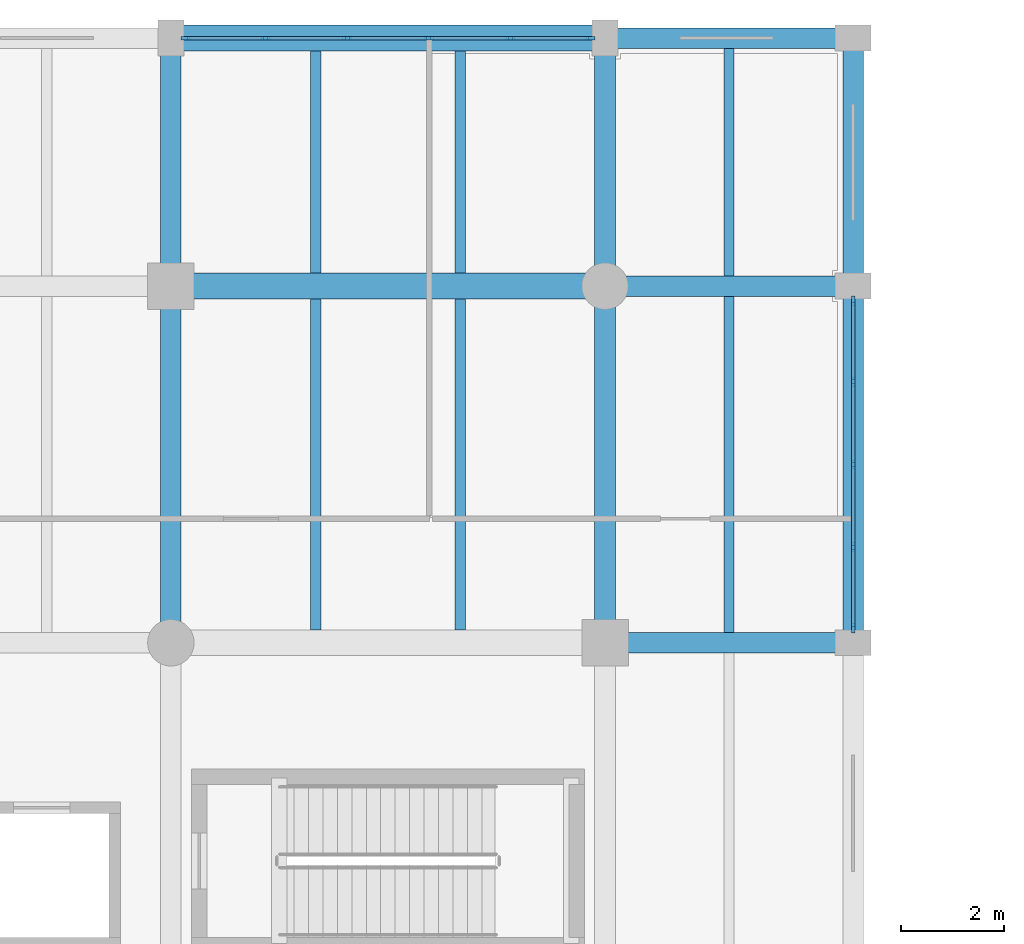
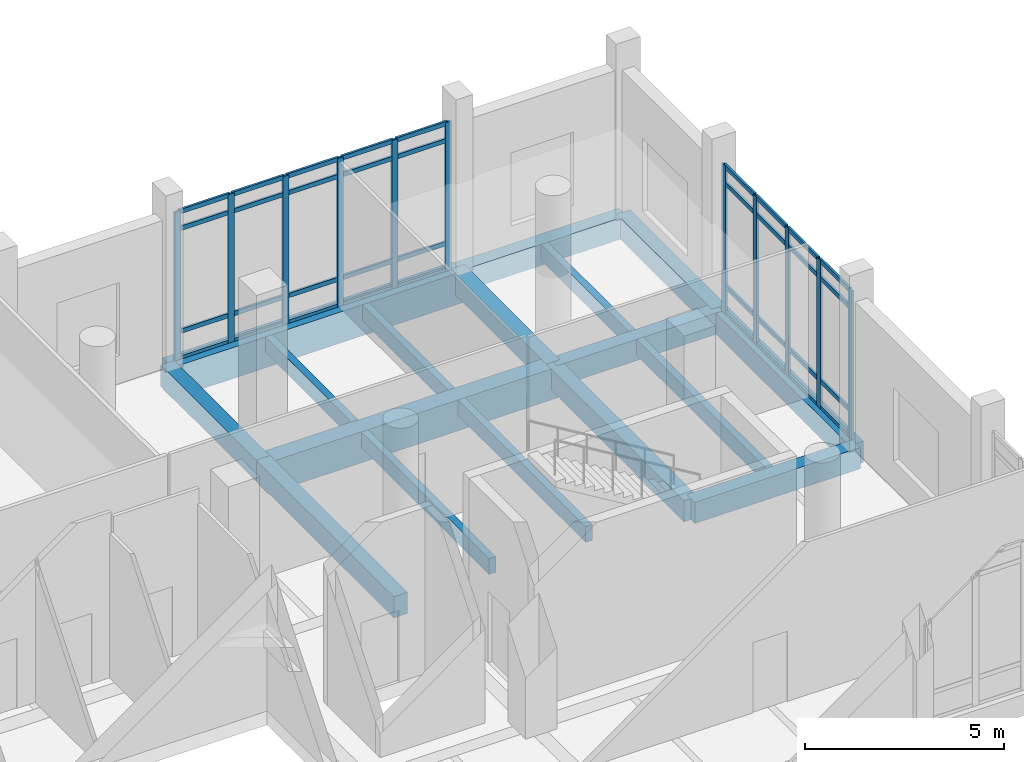
# One storey, part 19 of 72: 47 members, 17 beams, 2 elements without a shape of their own.
"""IFC4 building model written with IfcOpenShell, lengths in metres."""

from ifc_helpers import new_model, si_unit, direction, frame, origin, origin_2d, place, context, subcontext, project, spatial, rectangle, extrude, material, material_profile, profile_set, type_object, element, aggregate, save


model = new_model("IFC4")

# Units and contexts
model_context = context("Model", 3, precision=1e-05, world=origin(), true_north=direction((0.0, 1.0)))
body_context = subcontext(model_context, "Body", "Model", "MODEL_VIEW")
ifc_project = project(units=[si_unit("LENGTHUNIT", "METRE"), si_unit("AREAUNIT", "SQUARE_METRE"), si_unit("VOLUMEUNIT", "CUBIC_METRE"), si_unit("PLANEANGLEUNIT", "RADIAN"), si_unit("MASSUNIT", "GRAM", prefix="KILO")], contexts=[model_context])

# Site, building, storey
site_placement = place(None, origin())
site = spatial("IfcSite", under=ifc_project, at=site_placement, CompositionType="ELEMENT")
building_placement = place(site_placement, origin())
building = spatial("IfcBuilding", under=site, at=building_placement, Name="Dornvale Research Institute", CompositionType="ELEMENT")
storey_placement = place(building_placement, origin())
storey = spatial("IfcBuildingStorey", under=building, at=storey_placement, Name="L00", CompositionType="ELEMENT", Elevation=0.0)

# Beams
ifc_material_1 = material(Name="Concrete f'c 45 MPa (C35/45)", Category="concrete")
ifc_material_profile_1 = material_profile(ifc_material_1, rectangle(XDim=0.39990234375, YDim=0.64990234375, at=origin_2d()), Name="RC 400x650")
ifc_profile_set_1 = profile_set([ifc_material_profile_1], Name="Concrete f'c 45 MPa (C35/45)")
beam_type_1 = type_object("IfcBeamType", Name="Beam_RC400x650_Floor", PredefinedType="BEAM", material=ifc_profile_set_1)
for number, where, z_axis, x_axis, name in (
    (1, (41.39990234375, 110.39990234375, -0.324951171875), (1.0, 0.0, 0.0), (0.0, 1.0, 0.0), "L00 primary girder #21"),
    (2, (41.39990234375, 117.300048828125, -0.324951171875), (1.0, 0.0, 0.0), (0.0, 1.0, 0.0), "L00 primary girder #28"),
    (3, (41.39990234375, 122.10009765625, -0.324951171875), (1.0, 0.0, 0.0), (0.0, 1.0, 0.0), "L00 primary girder #35"),
):
    element("IfcBeam", number, at=place(storey_placement, frame(where, z_axis=z_axis, x_axis=x_axis)), inside=storey, type_object=beam_type_1, Name=name, PredefinedType="BEAM", context=body_context, shape_type="SweptSolid", body=[
        extrude(rectangle(XDim=0.39990234375, YDim=0.64990234375, at=origin_2d()), origin(), (0.0, 0.0, 1.0), 4.800048828125),
    ])
beam_1_placement = place(storey_placement, frame((33.0, 110.39990234375, -0.324951171875), z_axis=(0.0, 1.0, 0.0), x_axis=(-1.0, 0.0, 0.0)))
element("IfcBeam", 4, at=beam_1_placement, inside=storey, type_object=beam_type_1, Name="L00 transverse girder #58", PredefinedType="BEAM", context=body_context, shape_type="SweptSolid", body=[
    extrude(rectangle(XDim=0.39990234375, YDim=0.64990234375, at=origin_2d()), origin(), (0.0, 0.0, 1.0), 6.900146484375),
])
beam_2_placement = place(storey_placement, frame((33.0, 117.300048828125, -0.324951171875), z_axis=(0.0, 1.0, 0.0), x_axis=(-1.0, 0.0, 0.0)))
element("IfcBeam", 5, at=beam_2_placement, inside=storey, type_object=beam_type_1, Name="L00 transverse girder #59", PredefinedType="BEAM", context=body_context, shape_type="SweptSolid", body=[
    extrude(rectangle(XDim=0.39990234375, YDim=0.64990234375, at=origin_2d()), origin(), (0.0, 0.0, 1.0), 4.800048828125),
])
beam_3_placement = place(storey_placement, frame((41.39990234375, 110.39990234375, -0.324951171875), z_axis=(0.0, 1.0, 0.0), x_axis=(-1.0, 0.0, 0.0)))
element("IfcBeam", 6, at=beam_3_placement, inside=storey, type_object=beam_type_1, Name="L00 transverse girder #62", PredefinedType="BEAM", context=body_context, shape_type="SweptSolid", body=[
    extrude(rectangle(XDim=0.39990234375, YDim=0.64990234375, at=origin_2d()), origin(), (0.0, 0.0, 1.0), 6.900146484375),
])
beam_4_placement = place(storey_placement, frame((41.39990234375, 117.300048828125, -0.324951171875), z_axis=(0.0, 1.0, 0.0), x_axis=(-1.0, 0.0, 0.0)))
element("IfcBeam", 7, at=beam_4_placement, inside=storey, type_object=beam_type_1, Name="L00 transverse girder #63", PredefinedType="BEAM", context=body_context, shape_type="SweptSolid", body=[
    extrude(rectangle(XDim=0.39990234375, YDim=0.64990234375, at=origin_2d()), origin(), (0.0, 0.0, 1.0), 4.800048828125),
])
beam_5_placement = place(storey_placement, frame((46.199951171875, 110.39990234375, -0.324951171875), z_axis=(0.0, 1.0, 0.0), x_axis=(-1.0, 0.0, 0.0)))
element("IfcBeam", 8, at=beam_5_placement, inside=storey, type_object=beam_type_1, Name="L00 transverse girder #66", PredefinedType="BEAM", context=body_context, shape_type="SweptSolid", body=[
    extrude(rectangle(XDim=0.39990234375, YDim=0.64990234375, at=origin_2d()), origin(), (0.0, 0.0, 1.0), 6.900146484375),
])
beam_6_placement = place(storey_placement, frame((46.199951171875, 117.300048828125, -0.324951171875), z_axis=(0.0, 1.0, 0.0), x_axis=(-1.0, 0.0, 0.0)))
element("IfcBeam", 9, at=beam_6_placement, inside=storey, type_object=beam_type_1, Name="L00 transverse girder #67", PredefinedType="BEAM", context=body_context, shape_type="SweptSolid", body=[
    extrude(rectangle(XDim=0.39990234375, YDim=0.64990234375, at=origin_2d()), origin(), (0.0, 0.0, 1.0), 4.800048828125),
])
ifc_material_2 = material(Name="Concrete f'c 45 MPa (C35/45)", Category="concrete")
ifc_material_profile_2 = material_profile(ifc_material_2, rectangle(XDim=0.5, YDim=0.949951171875, at=origin_2d()), Name="RC 500x950")
ifc_profile_set_2 = profile_set([ifc_material_profile_2], Name="Concrete f'c 45 MPa (C35/45)")
beam_type_2 = type_object("IfcBeamType", Name="Beam_RC500x950_Girder", PredefinedType="BEAM", material=ifc_profile_set_2)
for number, where, z_axis, x_axis, name in (
    (10, (33.0, 117.300048828125, -0.47509765625), (1.0, 0.0, 0.0), (0.0, 1.0, 0.0), "L00 primary girder #27"),
    (11, (33.0, 122.10009765625, -0.47509765625), (1.0, 0.0, 0.0), (0.0, 1.0, 0.0), "L00 primary girder #34"),
):
    element("IfcBeam", number, at=place(storey_placement, frame(where, z_axis=z_axis, x_axis=x_axis)), inside=storey, type_object=beam_type_2, Name=name, PredefinedType="BEAM", context=body_context, shape_type="SweptSolid", body=[
        extrude(rectangle(XDim=0.5, YDim=0.949951171875, at=origin_2d()), origin(), (0.0, 0.0, 1.0), 8.39990234375),
    ])
ifc_material_3 = material(Name="Concrete f'c 45 MPa (C35/45)", Category="concrete")
ifc_material_profile_3 = material_profile(ifc_material_3, rectangle(XDim=0.199951171875, YDim=0.485107421875, at=origin_2d()), Name="RC 200x485")
ifc_profile_set_3 = profile_set([ifc_material_profile_3], Name="Concrete f'c 45 MPa (C35/45)")
beam_type_3 = type_object("IfcBeamType", Name="Joist_RC200x485_Rib", PredefinedType="JOIST", material=ifc_profile_set_3)
for number, where, z_axis, x_axis, name in (
    (12, (35.800048828125, 110.64990234375, -0.242431640625), (0.0, 1.0, 0.0), (-1.0, 0.0, 0.0), "L00 laboratory waffle joist #30"),
    (13, (38.60009765625, 110.64990234375, -0.242431640625), (0.0, 1.0, 0.0), (-1.0, 0.0, 0.0), "L00 laboratory waffle joist #31"),
):
    element("IfcBeam", number, at=place(storey_placement, frame(where, z_axis=z_axis, x_axis=x_axis)), inside=storey, type_object=beam_type_3, Name=name, PredefinedType="JOIST", context=body_context, shape_type="SweptSolid", body=[
        extrude(rectangle(XDim=0.199951171875, YDim=0.485107421875, at=origin_2d()), origin(), (0.0, 0.0, 1.0), 6.400146484375),
    ])
for number, where, z_axis, x_axis, name in (
    (14, (35.800048828125, 117.550048828125, -0.242431640625), (0.0, 1.0, 0.0), (-1.0, 0.0, 0.0), "L00 laboratory waffle joist #32"),
    (15, (38.60009765625, 117.550048828125, -0.242431640625), (0.0, 1.0, 0.0), (-1.0, 0.0, 0.0), "L00 laboratory waffle joist #33"),
):
    element("IfcBeam", number, at=place(storey_placement, frame(where, z_axis=z_axis, x_axis=x_axis)), inside=storey, type_object=beam_type_3, Name=name, PredefinedType="JOIST", context=body_context, shape_type="SweptSolid", body=[
        extrude(rectangle(XDim=0.199951171875, YDim=0.485107421875, at=origin_2d()), origin(), (0.0, 0.0, 1.0), 4.300048828125),
    ])
beam_7_placement = place(storey_placement, frame((43.800048828125, 110.60009765625, -0.242431640625), z_axis=(0.0, 1.0, 0.0), x_axis=(-1.0, 0.0, 0.0)))
element("IfcBeam", 16, at=beam_7_placement, inside=storey, type_object=beam_type_3, Name="L00 laboratory waffle joist #36", PredefinedType="JOIST", context=body_context, shape_type="SweptSolid", body=[
    extrude(rectangle(XDim=0.199951171875, YDim=0.485107421875, at=origin_2d()), origin(), (0.0, 0.0, 1.0), 6.5),
])
beam_8_placement = place(storey_placement, frame((43.800048828125, 117.5, -0.242431640625), z_axis=(0.0, 1.0, 0.0), x_axis=(-1.0, 0.0, 0.0)))
element("IfcBeam", 17, at=beam_8_placement, inside=storey, type_object=beam_type_3, Name="L00 laboratory waffle joist #37", PredefinedType="JOIST", context=body_context, shape_type="SweptSolid", body=[
    extrude(rectangle(XDim=0.199951171875, YDim=0.485107421875, at=origin_2d()), origin(), (0.0, 0.0, 1.0), 4.39990234375),
])

# Curtain wall, members
ifc_material_4 = material(Name="Low-E Argon Double Insulating Glazing Unit", Category="glass")
curtain_wall_type_1 = type_object("IfcCurtainWallType", Name="UnitisedCurtainWall_V5_7900x4550", PredefinedType="USERDEFINED", material=ifc_material_4)
curtain_wall_1_placement = place(storey_placement, origin())
curtain_wall_1 = element("IfcCurtainWall", 18, at=curtain_wall_1_placement, inside=storey, type_object=curtain_wall_type_1, Name="L00 V5 unitised curtain wall CW-20 #127", ObjectType="UNITISED CURTAIN WALL", PredefinedType="USERDEFINED")
ifc_material_5 = material(Name="Anodized Aluminum AA 6063-T6 Thermally Broken Frame", Category="aluminium")
ifc_material_profile_4 = material_profile(ifc_material_5, rectangle(XDim=0.06494140625, YDim=0.179931640625, at=origin_2d()), Name="ALU MULLION 65x180")
ifc_profile_set_4 = profile_set([ifc_material_profile_4], Name="Anodized Aluminum AA 6063-T6 Thermally Broken Frame")
member_type_1 = type_object("IfcMemberType", Name="Mullion_CW_65x180", PredefinedType="MULLION", material=ifc_profile_set_4)
member_1_placement = place(storey_placement, frame((33.282470703125, 122.10009765625, 0.0), z_axis=(0.0, 0.0, 1.0), x_axis=(0.0, 1.0, 0.0)))
member_1 = element("IfcMember", 19, at=member_1_placement, type_object=member_type_1, Name="CW-20 mullion 1", PredefinedType="MULLION", context=body_context, shape_type="SweptSolid", body=[
    extrude(rectangle(XDim=0.06494140625, YDim=0.179931640625, at=origin_2d()), origin(), (0.0, 0.0, 1.0), 4.550048828125),
])
member_2_placement = place(storey_placement, frame((34.830078125, 122.10009765625, 0.0), z_axis=(0.0, 0.0, 1.0), x_axis=(0.0, 1.0, 0.0)))
member_2 = element("IfcMember", 20, at=member_2_placement, type_object=member_type_1, Name="CW-20 mullion 2", PredefinedType="MULLION", context=body_context, shape_type="SweptSolid", body=[
    extrude(rectangle(XDim=0.06494140625, YDim=0.179931640625, at=origin_2d()), origin(), (0.0, 0.0, 1.0), 4.550048828125),
])
member_3_placement = place(storey_placement, frame((36.409912109375, 122.10009765625, 0.0), z_axis=(0.0, 0.0, 1.0), x_axis=(0.0, 1.0, 0.0)))
member_3 = element("IfcMember", 21, at=member_3_placement, type_object=member_type_1, Name="CW-20 mullion 3", PredefinedType="MULLION", context=body_context, shape_type="SweptSolid", body=[
    extrude(rectangle(XDim=0.06494140625, YDim=0.179931640625, at=origin_2d()), origin(), (0.0, 0.0, 1.0), 4.550048828125),
])
member_4_placement = place(storey_placement, frame((37.989990234375, 122.10009765625, 0.0), z_axis=(0.0, 0.0, 1.0), x_axis=(0.0, 1.0, 0.0)))
member_4 = element("IfcMember", 22, at=member_4_placement, type_object=member_type_1, Name="CW-20 mullion 4", PredefinedType="MULLION", context=body_context, shape_type="SweptSolid", body=[
    extrude(rectangle(XDim=0.06494140625, YDim=0.179931640625, at=origin_2d()), origin(), (0.0, 0.0, 1.0), 4.550048828125),
])
member_5_placement = place(storey_placement, frame((39.570068359375, 122.10009765625, 0.0), z_axis=(0.0, 0.0, 1.0), x_axis=(0.0, 1.0, 0.0)))
member_5 = element("IfcMember", 23, at=member_5_placement, type_object=member_type_1, Name="CW-20 mullion 5", PredefinedType="MULLION", context=body_context, shape_type="SweptSolid", body=[
    extrude(rectangle(XDim=0.06494140625, YDim=0.179931640625, at=origin_2d()), origin(), (0.0, 0.0, 1.0), 4.550048828125),
])
member_6_placement = place(storey_placement, frame((41.117431640625, 122.10009765625, 0.0), z_axis=(0.0, 0.0, 1.0), x_axis=(0.0, 1.0, 0.0)))
member_6 = element("IfcMember", 24, at=member_6_placement, type_object=member_type_1, Name="CW-20 mullion 6", PredefinedType="MULLION", context=body_context, shape_type="SweptSolid", body=[
    extrude(rectangle(XDim=0.06494140625, YDim=0.179931640625, at=origin_2d()), origin(), (0.0, 0.0, 1.0), 4.550048828125),
])

ifc_material_6 = material(Name="Low-E Argon Double Insulating Glazing Unit", Category="glass")
curtain_wall_type_2 = type_object("IfcCurtainWallType", Name="UnitisedCurtainWall_V5_6400x4550", PredefinedType="USERDEFINED", material=ifc_material_6)
curtain_wall_2_placement = place(storey_placement, origin())
curtain_wall_2 = element("IfcCurtainWall", 25, at=curtain_wall_2_placement, inside=storey, type_object=curtain_wall_type_2, Name="L00 V5 unitised curtain wall CW-21 #128", ObjectType="UNITISED CURTAIN WALL", PredefinedType="USERDEFINED")
member_7_placement = place(storey_placement, frame((46.199951171875, 117.017578125, 0.0), z_axis=(0.0, 0.0, 1.0), x_axis=(1.0, 0.0, 0.0)))
member_7 = element("IfcMember", 26, at=member_7_placement, type_object=member_type_1, Name="CW-21 mullion 1", PredefinedType="MULLION", context=body_context, shape_type="SweptSolid", body=[
    extrude(rectangle(XDim=0.06494140625, YDim=0.179931640625, at=origin_2d()), origin(), (0.0, 0.0, 1.0), 4.550048828125),
])
member_8_placement = place(storey_placement, frame((46.199951171875, 115.449951171875, 0.0), z_axis=(0.0, 0.0, 1.0), x_axis=(1.0, 0.0, 0.0)))
member_8 = element("IfcMember", 27, at=member_8_placement, type_object=member_type_1, Name="CW-21 mullion 2", PredefinedType="MULLION", context=body_context, shape_type="SweptSolid", body=[
    extrude(rectangle(XDim=0.06494140625, YDim=0.179931640625, at=origin_2d()), origin(), (0.0, 0.0, 1.0), 4.550048828125),
])
member_9_placement = place(storey_placement, frame((46.199951171875, 113.85009765625, 0.0), z_axis=(0.0, 0.0, 1.0), x_axis=(1.0, 0.0, 0.0)))
member_9 = element("IfcMember", 28, at=member_9_placement, type_object=member_type_1, Name="CW-21 mullion 3", PredefinedType="MULLION", context=body_context, shape_type="SweptSolid", body=[
    extrude(rectangle(XDim=0.06494140625, YDim=0.179931640625, at=origin_2d()), origin(), (0.0, 0.0, 1.0), 4.550048828125),
])
member_10_placement = place(storey_placement, frame((46.199951171875, 112.25, 0.0), z_axis=(0.0, 0.0, 1.0), x_axis=(1.0, 0.0, 0.0)))
member_10 = element("IfcMember", 29, at=member_10_placement, type_object=member_type_1, Name="CW-21 mullion 4", PredefinedType="MULLION", context=body_context, shape_type="SweptSolid", body=[
    extrude(rectangle(XDim=0.06494140625, YDim=0.179931640625, at=origin_2d()), origin(), (0.0, 0.0, 1.0), 4.550048828125),
])
member_11_placement = place(storey_placement, frame((46.199951171875, 110.6826171875, 0.0), z_axis=(0.0, 0.0, 1.0), x_axis=(1.0, 0.0, 0.0)))
member_11 = element("IfcMember", 30, at=member_11_placement, type_object=member_type_1, Name="CW-21 mullion 5", PredefinedType="MULLION", context=body_context, shape_type="SweptSolid", body=[
    extrude(rectangle(XDim=0.06494140625, YDim=0.179931640625, at=origin_2d()), origin(), (0.0, 0.0, 1.0), 4.550048828125),
])

# Member
ifc_material_7 = material(Name="Anodized Aluminum AA 6063-T6 Thermally Broken Frame", Category="aluminium")
ifc_material_profile_5 = material_profile(ifc_material_7, rectangle(XDim=0.06494140625, YDim=0.135009765625, at=origin_2d()), Name="ALU TRANSOM 65x135")
ifc_profile_set_5 = profile_set([ifc_material_profile_5], Name="Anodized Aluminum AA 6063-T6 Thermally Broken Frame")
member_type_2 = type_object("IfcMemberType", Name="Transom_CW_65x135", PredefinedType="USERDEFINED", material=ifc_profile_set_5)
member_12_placement = place(storey_placement, frame((33.31494140625, 122.10009765625, 0.032470703125), z_axis=(1.0, 0.0, 0.0), x_axis=(0.0, 1.0, 0.0)))
member_12 = element("IfcMember", 31, at=member_12_placement, type_object=member_type_2, Name="CW-20 transom 1.1", ObjectType="TRANSOM", PredefinedType="USERDEFINED", context=body_context, shape_type="SweptSolid", body=[
    extrude(rectangle(XDim=0.06494140625, YDim=0.135009765625, at=origin_2d()), origin(), (0.0, 0.0, 1.0), 1.482666015625),
])

member_13_placement = place(storey_placement, frame((33.31494140625, 122.10009765625, 0.85009765625), z_axis=(1.0, 0.0, 0.0), x_axis=(0.0, 1.0, 0.0)))
member_13 = element("IfcMember", 32, at=member_13_placement, type_object=member_type_2, Name="CW-20 transom 1.2", ObjectType="TRANSOM", PredefinedType="USERDEFINED", context=body_context, shape_type="SweptSolid", body=[
    extrude(rectangle(XDim=0.06494140625, YDim=0.135009765625, at=origin_2d()), origin(), (0.0, 0.0, 1.0), 1.482666015625),
])

member_14_placement = place(storey_placement, frame((33.31494140625, 122.10009765625, 4.0), z_axis=(1.0, 0.0, 0.0), x_axis=(0.0, 1.0, 0.0)))
member_14 = element("IfcMember", 33, at=member_14_placement, type_object=member_type_2, Name="CW-20 transom 1.3", ObjectType="TRANSOM", PredefinedType="USERDEFINED", context=body_context, shape_type="SweptSolid", body=[
    extrude(rectangle(XDim=0.06494140625, YDim=0.135009765625, at=origin_2d()), origin(), (0.0, 0.0, 1.0), 1.482666015625),
])

member_15_placement = place(storey_placement, frame((33.31494140625, 122.10009765625, 4.517578125), z_axis=(1.0, 0.0, 0.0), x_axis=(0.0, 1.0, 0.0)))
member_15 = element("IfcMember", 34, at=member_15_placement, type_object=member_type_2, Name="CW-20 transom 1.4", ObjectType="TRANSOM", PredefinedType="USERDEFINED", context=body_context, shape_type="SweptSolid", body=[
    extrude(rectangle(XDim=0.06494140625, YDim=0.135009765625, at=origin_2d()), origin(), (0.0, 0.0, 1.0), 1.482666015625),
])

member_16_placement = place(storey_placement, frame((34.862548828125, 122.10009765625, 0.032470703125), z_axis=(1.0, 0.0, 0.0), x_axis=(0.0, 1.0, 0.0)))
member_16 = element("IfcMember", 35, at=member_16_placement, type_object=member_type_2, Name="CW-20 transom 2.1", ObjectType="TRANSOM", PredefinedType="USERDEFINED", context=body_context, shape_type="SweptSolid", body=[
    extrude(rectangle(XDim=0.06494140625, YDim=0.135009765625, at=origin_2d()), origin(), (0.0, 0.0, 1.0), 1.514892578125),
])

member_17_placement = place(storey_placement, frame((34.862548828125, 122.10009765625, 0.85009765625), z_axis=(1.0, 0.0, 0.0), x_axis=(0.0, 1.0, 0.0)))
member_17 = element("IfcMember", 36, at=member_17_placement, type_object=member_type_2, Name="CW-20 transom 2.2", ObjectType="TRANSOM", PredefinedType="USERDEFINED", context=body_context, shape_type="SweptSolid", body=[
    extrude(rectangle(XDim=0.06494140625, YDim=0.135009765625, at=origin_2d()), origin(), (0.0, 0.0, 1.0), 1.514892578125),
])

member_18_placement = place(storey_placement, frame((34.862548828125, 122.10009765625, 4.0), z_axis=(1.0, 0.0, 0.0), x_axis=(0.0, 1.0, 0.0)))
member_18 = element("IfcMember", 37, at=member_18_placement, type_object=member_type_2, Name="CW-20 transom 2.3", ObjectType="TRANSOM", PredefinedType="USERDEFINED", context=body_context, shape_type="SweptSolid", body=[
    extrude(rectangle(XDim=0.06494140625, YDim=0.135009765625, at=origin_2d()), origin(), (0.0, 0.0, 1.0), 1.514892578125),
])

member_19_placement = place(storey_placement, frame((34.862548828125, 122.10009765625, 4.517578125), z_axis=(1.0, 0.0, 0.0), x_axis=(0.0, 1.0, 0.0)))
member_19 = element("IfcMember", 38, at=member_19_placement, type_object=member_type_2, Name="CW-20 transom 2.4", ObjectType="TRANSOM", PredefinedType="USERDEFINED", context=body_context, shape_type="SweptSolid", body=[
    extrude(rectangle(XDim=0.06494140625, YDim=0.135009765625, at=origin_2d()), origin(), (0.0, 0.0, 1.0), 1.514892578125),
])

member_20_placement = place(storey_placement, frame((36.4423828125, 122.10009765625, 0.032470703125), z_axis=(1.0, 0.0, 0.0), x_axis=(0.0, 1.0, 0.0)))
member_20 = element("IfcMember", 39, at=member_20_placement, type_object=member_type_2, Name="CW-20 transom 3.1", ObjectType="TRANSOM", PredefinedType="USERDEFINED", context=body_context, shape_type="SweptSolid", body=[
    extrude(rectangle(XDim=0.06494140625, YDim=0.135009765625, at=origin_2d()), origin(), (0.0, 0.0, 1.0), 1.51513671875),
])

member_21_placement = place(storey_placement, frame((36.4423828125, 122.10009765625, 0.85009765625), z_axis=(1.0, 0.0, 0.0), x_axis=(0.0, 1.0, 0.0)))
member_21 = element("IfcMember", 40, at=member_21_placement, type_object=member_type_2, Name="CW-20 transom 3.2", ObjectType="TRANSOM", PredefinedType="USERDEFINED", context=body_context, shape_type="SweptSolid", body=[
    extrude(rectangle(XDim=0.06494140625, YDim=0.135009765625, at=origin_2d()), origin(), (0.0, 0.0, 1.0), 1.51513671875),
])

member_22_placement = place(storey_placement, frame((36.4423828125, 122.10009765625, 4.0), z_axis=(1.0, 0.0, 0.0), x_axis=(0.0, 1.0, 0.0)))
member_22 = element("IfcMember", 41, at=member_22_placement, type_object=member_type_2, Name="CW-20 transom 3.3", ObjectType="TRANSOM", PredefinedType="USERDEFINED", context=body_context, shape_type="SweptSolid", body=[
    extrude(rectangle(XDim=0.06494140625, YDim=0.135009765625, at=origin_2d()), origin(), (0.0, 0.0, 1.0), 1.51513671875),
])

member_23_placement = place(storey_placement, frame((36.4423828125, 122.10009765625, 4.517578125), z_axis=(1.0, 0.0, 0.0), x_axis=(0.0, 1.0, 0.0)))
member_23 = element("IfcMember", 42, at=member_23_placement, type_object=member_type_2, Name="CW-20 transom 3.4", ObjectType="TRANSOM", PredefinedType="USERDEFINED", context=body_context, shape_type="SweptSolid", body=[
    extrude(rectangle(XDim=0.06494140625, YDim=0.135009765625, at=origin_2d()), origin(), (0.0, 0.0, 1.0), 1.51513671875),
])

member_24_placement = place(storey_placement, frame((38.0224609375, 122.10009765625, 0.032470703125), z_axis=(1.0, 0.0, 0.0), x_axis=(0.0, 1.0, 0.0)))
member_24 = element("IfcMember", 43, at=member_24_placement, type_object=member_type_2, Name="CW-20 transom 4.1", ObjectType="TRANSOM", PredefinedType="USERDEFINED", context=body_context, shape_type="SweptSolid", body=[
    extrude(rectangle(XDim=0.06494140625, YDim=0.135009765625, at=origin_2d()), origin(), (0.0, 0.0, 1.0), 1.51513671875),
])

member_25_placement = place(storey_placement, frame((38.0224609375, 122.10009765625, 0.85009765625), z_axis=(1.0, 0.0, 0.0), x_axis=(0.0, 1.0, 0.0)))
member_25 = element("IfcMember", 44, at=member_25_placement, type_object=member_type_2, Name="CW-20 transom 4.2", ObjectType="TRANSOM", PredefinedType="USERDEFINED", context=body_context, shape_type="SweptSolid", body=[
    extrude(rectangle(XDim=0.06494140625, YDim=0.135009765625, at=origin_2d()), origin(), (0.0, 0.0, 1.0), 1.51513671875),
])

member_26_placement = place(storey_placement, frame((38.0224609375, 122.10009765625, 4.0), z_axis=(1.0, 0.0, 0.0), x_axis=(0.0, 1.0, 0.0)))
member_26 = element("IfcMember", 45, at=member_26_placement, type_object=member_type_2, Name="CW-20 transom 4.3", ObjectType="TRANSOM", PredefinedType="USERDEFINED", context=body_context, shape_type="SweptSolid", body=[
    extrude(rectangle(XDim=0.06494140625, YDim=0.135009765625, at=origin_2d()), origin(), (0.0, 0.0, 1.0), 1.51513671875),
])

member_27_placement = place(storey_placement, frame((38.0224609375, 122.10009765625, 4.517578125), z_axis=(1.0, 0.0, 0.0), x_axis=(0.0, 1.0, 0.0)))
member_27 = element("IfcMember", 46, at=member_27_placement, type_object=member_type_2, Name="CW-20 transom 4.4", ObjectType="TRANSOM", PredefinedType="USERDEFINED", context=body_context, shape_type="SweptSolid", body=[
    extrude(rectangle(XDim=0.06494140625, YDim=0.135009765625, at=origin_2d()), origin(), (0.0, 0.0, 1.0), 1.51513671875),
])

member_28_placement = place(storey_placement, frame((39.6025390625, 122.10009765625, 0.032470703125), z_axis=(1.0, 0.0, 0.0), x_axis=(0.0, 1.0, 0.0)))
member_28 = element("IfcMember", 47, at=member_28_placement, type_object=member_type_2, Name="CW-20 transom 5.1", ObjectType="TRANSOM", PredefinedType="USERDEFINED", context=body_context, shape_type="SweptSolid", body=[
    extrude(rectangle(XDim=0.06494140625, YDim=0.135009765625, at=origin_2d()), origin(), (0.0, 0.0, 1.0), 1.482421875),
])

member_29_placement = place(storey_placement, frame((39.6025390625, 122.10009765625, 0.85009765625), z_axis=(1.0, 0.0, 0.0), x_axis=(0.0, 1.0, 0.0)))
member_29 = element("IfcMember", 48, at=member_29_placement, type_object=member_type_2, Name="CW-20 transom 5.2", ObjectType="TRANSOM", PredefinedType="USERDEFINED", context=body_context, shape_type="SweptSolid", body=[
    extrude(rectangle(XDim=0.06494140625, YDim=0.135009765625, at=origin_2d()), origin(), (0.0, 0.0, 1.0), 1.482421875),
])

member_30_placement = place(storey_placement, frame((39.6025390625, 122.10009765625, 4.0), z_axis=(1.0, 0.0, 0.0), x_axis=(0.0, 1.0, 0.0)))
member_30 = element("IfcMember", 49, at=member_30_placement, type_object=member_type_2, Name="CW-20 transom 5.3", ObjectType="TRANSOM", PredefinedType="USERDEFINED", context=body_context, shape_type="SweptSolid", body=[
    extrude(rectangle(XDim=0.06494140625, YDim=0.135009765625, at=origin_2d()), origin(), (0.0, 0.0, 1.0), 1.482421875),
])

member_31_placement = place(storey_placement, frame((39.6025390625, 122.10009765625, 4.517578125), z_axis=(1.0, 0.0, 0.0), x_axis=(0.0, 1.0, 0.0)))
member_31 = element("IfcMember", 50, at=member_31_placement, type_object=member_type_2, Name="CW-20 transom 5.4", ObjectType="TRANSOM", PredefinedType="USERDEFINED", context=body_context, shape_type="SweptSolid", body=[
    extrude(rectangle(XDim=0.06494140625, YDim=0.135009765625, at=origin_2d()), origin(), (0.0, 0.0, 1.0), 1.482421875),
])

aggregate(curtain_wall_1, [member_1, member_2, member_3, member_4, member_5, member_6, member_12, member_13, member_14, member_15, member_16, member_17, member_18, member_19, member_20, member_21, member_22, member_23, member_24, member_25, member_26, member_27, member_28, member_29, member_30, member_31])

member_32_placement = place(storey_placement, frame((46.199951171875, 116.985107421875, 0.032470703125), z_axis=(0.0, -1.0, 0.0), x_axis=(1.0, 0.0, 0.0)))
member_32 = element("IfcMember", 51, at=member_32_placement, type_object=member_type_2, Name="CW-21 transom 1.1", ObjectType="TRANSOM", PredefinedType="USERDEFINED", context=body_context, shape_type="SweptSolid", body=[
    extrude(rectangle(XDim=0.06494140625, YDim=0.135009765625, at=origin_2d()), origin(), (0.0, 0.0, 1.0), 1.502685546875),
])

member_33_placement = place(storey_placement, frame((46.199951171875, 116.985107421875, 0.85009765625), z_axis=(0.0, -1.0, 0.0), x_axis=(1.0, 0.0, 0.0)))
member_33 = element("IfcMember", 52, at=member_33_placement, type_object=member_type_2, Name="CW-21 transom 1.2", ObjectType="TRANSOM", PredefinedType="USERDEFINED", context=body_context, shape_type="SweptSolid", body=[
    extrude(rectangle(XDim=0.06494140625, YDim=0.135009765625, at=origin_2d()), origin(), (0.0, 0.0, 1.0), 1.502685546875),
])

member_34_placement = place(storey_placement, frame((46.199951171875, 116.985107421875, 4.0), z_axis=(0.0, -1.0, 0.0), x_axis=(1.0, 0.0, 0.0)))
member_34 = element("IfcMember", 53, at=member_34_placement, type_object=member_type_2, Name="CW-21 transom 1.3", ObjectType="TRANSOM", PredefinedType="USERDEFINED", context=body_context, shape_type="SweptSolid", body=[
    extrude(rectangle(XDim=0.06494140625, YDim=0.135009765625, at=origin_2d()), origin(), (0.0, 0.0, 1.0), 1.502685546875),
])

member_35_placement = place(storey_placement, frame((46.199951171875, 116.985107421875, 4.517578125), z_axis=(0.0, -1.0, 0.0), x_axis=(1.0, 0.0, 0.0)))
member_35 = element("IfcMember", 54, at=member_35_placement, type_object=member_type_2, Name="CW-21 transom 1.4", ObjectType="TRANSOM", PredefinedType="USERDEFINED", context=body_context, shape_type="SweptSolid", body=[
    extrude(rectangle(XDim=0.06494140625, YDim=0.135009765625, at=origin_2d()), origin(), (0.0, 0.0, 1.0), 1.502685546875),
])

member_36_placement = place(storey_placement, frame((46.199951171875, 115.41748046875, 0.032470703125), z_axis=(0.0, -1.0, 0.0), x_axis=(1.0, 0.0, 0.0)))
member_36 = element("IfcMember", 55, at=member_36_placement, type_object=member_type_2, Name="CW-21 transom 2.1", ObjectType="TRANSOM", PredefinedType="USERDEFINED", context=body_context, shape_type="SweptSolid", body=[
    extrude(rectangle(XDim=0.06494140625, YDim=0.135009765625, at=origin_2d()), origin(), (0.0, 0.0, 1.0), 1.534912109375),
])

member_37_placement = place(storey_placement, frame((46.199951171875, 115.41748046875, 0.85009765625), z_axis=(0.0, -1.0, 0.0), x_axis=(1.0, 0.0, 0.0)))
member_37 = element("IfcMember", 56, at=member_37_placement, type_object=member_type_2, Name="CW-21 transom 2.2", ObjectType="TRANSOM", PredefinedType="USERDEFINED", context=body_context, shape_type="SweptSolid", body=[
    extrude(rectangle(XDim=0.06494140625, YDim=0.135009765625, at=origin_2d()), origin(), (0.0, 0.0, 1.0), 1.534912109375),
])

member_38_placement = place(storey_placement, frame((46.199951171875, 115.41748046875, 4.0), z_axis=(0.0, -1.0, 0.0), x_axis=(1.0, 0.0, 0.0)))
member_38 = element("IfcMember", 57, at=member_38_placement, type_object=member_type_2, Name="CW-21 transom 2.3", ObjectType="TRANSOM", PredefinedType="USERDEFINED", context=body_context, shape_type="SweptSolid", body=[
    extrude(rectangle(XDim=0.06494140625, YDim=0.135009765625, at=origin_2d()), origin(), (0.0, 0.0, 1.0), 1.534912109375),
])

member_39_placement = place(storey_placement, frame((46.199951171875, 115.41748046875, 4.517578125), z_axis=(0.0, -1.0, 0.0), x_axis=(1.0, 0.0, 0.0)))
member_39 = element("IfcMember", 58, at=member_39_placement, type_object=member_type_2, Name="CW-21 transom 2.4", ObjectType="TRANSOM", PredefinedType="USERDEFINED", context=body_context, shape_type="SweptSolid", body=[
    extrude(rectangle(XDim=0.06494140625, YDim=0.135009765625, at=origin_2d()), origin(), (0.0, 0.0, 1.0), 1.534912109375),
])

member_40_placement = place(storey_placement, frame((46.199951171875, 113.8173828125, 0.032470703125), z_axis=(0.0, -1.0, 0.0), x_axis=(1.0, 0.0, 0.0)))
member_40 = element("IfcMember", 59, at=member_40_placement, type_object=member_type_2, Name="CW-21 transom 3.1", ObjectType="TRANSOM", PredefinedType="USERDEFINED", context=body_context, shape_type="SweptSolid", body=[
    extrude(rectangle(XDim=0.06494140625, YDim=0.135009765625, at=origin_2d()), origin(), (0.0, 0.0, 1.0), 1.534912109375),
])

member_41_placement = place(storey_placement, frame((46.199951171875, 113.8173828125, 0.85009765625), z_axis=(0.0, -1.0, 0.0), x_axis=(1.0, 0.0, 0.0)))
member_41 = element("IfcMember", 60, at=member_41_placement, type_object=member_type_2, Name="CW-21 transom 3.2", ObjectType="TRANSOM", PredefinedType="USERDEFINED", context=body_context, shape_type="SweptSolid", body=[
    extrude(rectangle(XDim=0.06494140625, YDim=0.135009765625, at=origin_2d()), origin(), (0.0, 0.0, 1.0), 1.534912109375),
])

member_42_placement = place(storey_placement, frame((46.199951171875, 113.8173828125, 4.0), z_axis=(0.0, -1.0, 0.0), x_axis=(1.0, 0.0, 0.0)))
member_42 = element("IfcMember", 61, at=member_42_placement, type_object=member_type_2, Name="CW-21 transom 3.3", ObjectType="TRANSOM", PredefinedType="USERDEFINED", context=body_context, shape_type="SweptSolid", body=[
    extrude(rectangle(XDim=0.06494140625, YDim=0.135009765625, at=origin_2d()), origin(), (0.0, 0.0, 1.0), 1.534912109375),
])

member_43_placement = place(storey_placement, frame((46.199951171875, 113.8173828125, 4.517578125), z_axis=(0.0, -1.0, 0.0), x_axis=(1.0, 0.0, 0.0)))
member_43 = element("IfcMember", 62, at=member_43_placement, type_object=member_type_2, Name="CW-21 transom 3.4", ObjectType="TRANSOM", PredefinedType="USERDEFINED", context=body_context, shape_type="SweptSolid", body=[
    extrude(rectangle(XDim=0.06494140625, YDim=0.135009765625, at=origin_2d()), origin(), (0.0, 0.0, 1.0), 1.534912109375),
])

member_44_placement = place(storey_placement, frame((46.199951171875, 112.217529296875, 0.032470703125), z_axis=(0.0, -1.0, 0.0), x_axis=(1.0, 0.0, 0.0)))
member_44 = element("IfcMember", 63, at=member_44_placement, type_object=member_type_2, Name="CW-21 transom 4.1", ObjectType="TRANSOM", PredefinedType="USERDEFINED", context=body_context, shape_type="SweptSolid", body=[
    extrude(rectangle(XDim=0.06494140625, YDim=0.135009765625, at=origin_2d()), origin(), (0.0, 0.0, 1.0), 1.50244140625),
])

member_45_placement = place(storey_placement, frame((46.199951171875, 112.217529296875, 0.85009765625), z_axis=(0.0, -1.0, 0.0), x_axis=(1.0, 0.0, 0.0)))
member_45 = element("IfcMember", 64, at=member_45_placement, type_object=member_type_2, Name="CW-21 transom 4.2", ObjectType="TRANSOM", PredefinedType="USERDEFINED", context=body_context, shape_type="SweptSolid", body=[
    extrude(rectangle(XDim=0.06494140625, YDim=0.135009765625, at=origin_2d()), origin(), (0.0, 0.0, 1.0), 1.50244140625),
])

member_46_placement = place(storey_placement, frame((46.199951171875, 112.217529296875, 4.0), z_axis=(0.0, -1.0, 0.0), x_axis=(1.0, 0.0, 0.0)))
member_46 = element("IfcMember", 65, at=member_46_placement, type_object=member_type_2, Name="CW-21 transom 4.3", ObjectType="TRANSOM", PredefinedType="USERDEFINED", context=body_context, shape_type="SweptSolid", body=[
    extrude(rectangle(XDim=0.06494140625, YDim=0.135009765625, at=origin_2d()), origin(), (0.0, 0.0, 1.0), 1.50244140625),
])

member_47_placement = place(storey_placement, frame((46.199951171875, 112.217529296875, 4.517578125), z_axis=(0.0, -1.0, 0.0), x_axis=(1.0, 0.0, 0.0)))
member_47 = element("IfcMember", 66, at=member_47_placement, type_object=member_type_2, Name="CW-21 transom 4.4", ObjectType="TRANSOM", PredefinedType="USERDEFINED", context=body_context, shape_type="SweptSolid", body=[
    extrude(rectangle(XDim=0.06494140625, YDim=0.135009765625, at=origin_2d()), origin(), (0.0, 0.0, 1.0), 1.50244140625),
])

aggregate(curtain_wall_2, [member_7, member_8, member_9, member_10, member_11, member_32, member_33, member_34, member_35, member_36, member_37, member_38, member_39, member_40, member_41, member_42, member_43, member_44, member_45, member_46, member_47])

save(model, "model.ifc")
